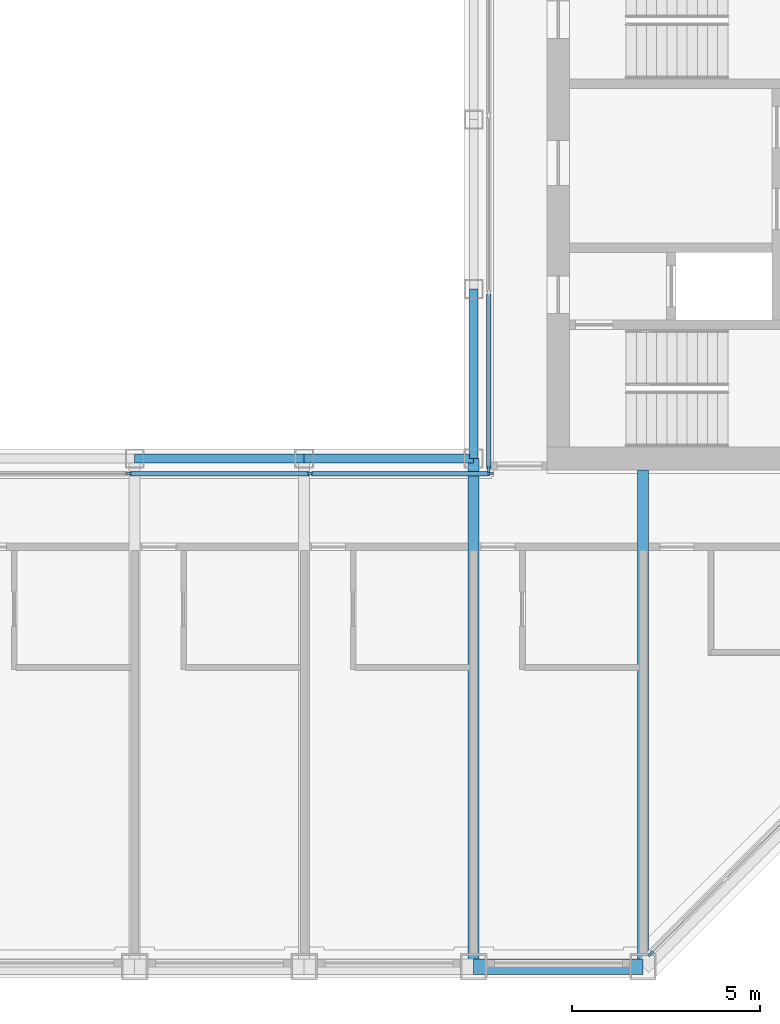
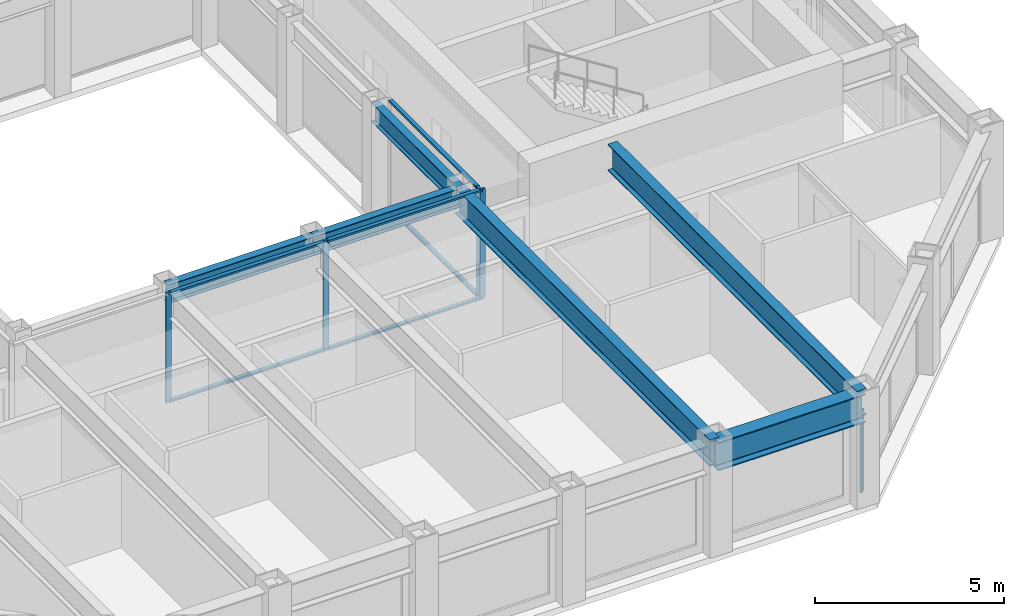
# One storey, part 3 of 18: 11 members, 6 beams, 3 elements without a shape of their own.
"""IFC4 building model written with IfcOpenShell, lengths in metres."""

from ifc_helpers import new_model, si_unit, direction, frame, origin, origin_2d, place, context, subcontext, project, spatial, rectangle, i_section, extrude, material, material_profile, profile_set, type_object, element, aggregate, save


model = new_model("IFC4")

# Units and contexts
model_context = context("Model", 3, precision=1e-05, world=origin(), true_north=direction((0.0, 1.0)))
body_context = subcontext(model_context, "Body", "Model", "MODEL_VIEW")
ifc_project = project(units=[si_unit("LENGTHUNIT", "METRE"), si_unit("AREAUNIT", "SQUARE_METRE"), si_unit("VOLUMEUNIT", "CUBIC_METRE"), si_unit("PLANEANGLEUNIT", "RADIAN"), si_unit("MASSUNIT", "GRAM", prefix="KILO")], contexts=[model_context])

# Site, building, storey
site_placement = place(None, origin())
site = spatial("IfcSite", under=ifc_project, at=site_placement, CompositionType="ELEMENT")
building_placement = place(site_placement, origin())
building = spatial("IfcBuilding", under=site, at=building_placement, Name="Msasa Ring Tower", CompositionType="ELEMENT")
storey_placement = place(building_placement, frame((0.0, 0.0, 200.800048828125)))
storey = spatial("IfcBuildingStorey", under=building, at=storey_placement, Name="L52", CompositionType="ELEMENT", Elevation=200.800048828125)

# Curtain wall, member
ifc_material_1 = material(Name="Aluminium curtain wall with clear glass", Category="aluminium")
curtain_wall_type_1 = type_object("IfcCurtainWallType", Name="CW-C CHAMFER CORNER CURTAIN WALL", PredefinedType="NOTDEFINED", material=ifc_material_1)
curtain_wall_1_placement = place(storey_placement, origin())
curtain_wall_1 = element("IfcCurtainWall", 1, at=curtain_wall_1_placement, inside=storey, type_object=curtain_wall_type_1, Name="Chamfer corner curtain wall SE L52", PredefinedType="NOTDEFINED")
ifc_material_2 = material(Name="Aluminium mullion", Category="aluminium")
ifc_material_profile_1 = material_profile(ifc_material_2, rectangle(XDim=0.06494140625, YDim=0.179931640625, at=origin_2d()), Name="AL 65x180")
ifc_profile_set_1 = profile_set([ifc_material_profile_1], Name="Aluminium mullion")
member_type_1 = type_object("IfcMemberType", Name="CW-C MULLION 65x180", PredefinedType="MULLION", material=ifc_profile_set_1)
member_1_placement = place(storey_placement, frame((11.453369140625, -19.9052734375, 0.0), z_axis=(0.0, 0.0, 1.0), x_axis=(-0.707106781187, 0.707106781187, 0.0)))
member_1 = element("IfcMember", 2, at=member_1_placement, type_object=member_type_1, Name="CW-C mullion 1", PredefinedType="MULLION", context=body_context, shape_type="SweptSolid", body=[
    extrude(rectangle(XDim=0.06494140625, YDim=0.179931640625, at=origin_2d()), origin(), (0.0, 0.0, 1.0), 2.62890625),
])
aggregate(curtain_wall_1, [member_1])

# Curtain wall, members
ifc_material_3 = material(Name="Aluminium curtain wall with clear glass", Category="aluminium")
curtain_wall_type_2 = type_object("IfcCurtainWallType", Name="CW-W LIGHT WELL CURTAIN WALL", PredefinedType="NOTDEFINED", material=ifc_material_3)
curtain_wall_2_placement = place(storey_placement, origin())
curtain_wall_2 = element("IfcCurtainWall", 3, at=curtain_wall_2_placement, inside=storey, type_object=curtain_wall_type_2, Name="Light well curtain wall S L52", PredefinedType="NOTDEFINED")
ifc_material_4 = material(Name="Aluminium mullion", Category="aluminium")
ifc_material_profile_2 = material_profile(ifc_material_4, rectangle(XDim=0.06005859375, YDim=0.159912109375, at=origin_2d()), Name="AL 60x160")
ifc_profile_set_2 = profile_set([ifc_material_profile_2], Name="Aluminium mullion")
member_type_2 = type_object("IfcMemberType", Name="CW-W MULLION 60x160", PredefinedType="MULLION", material=ifc_profile_set_2)
member_2_placement = place(storey_placement, frame((-2.409912109375, -7.14990234375, 0.0), z_axis=(0.0, 0.0, 1.0), x_axis=(0.0, 1.0, 0.0)))
member_2 = element("IfcMember", 4, at=member_2_placement, type_object=member_type_2, Name="CW-W mullion 2", PredefinedType="MULLION", context=body_context, shape_type="SweptSolid", body=[
    extrude(rectangle(XDim=0.06005859375, YDim=0.159912109375, at=origin_2d()), origin(), (0.0, 0.0, 1.0), 3.550048828125),
])
member_3_placement = place(storey_placement, frame((2.409912109375, -7.14990234375, 0.0), z_axis=(0.0, 0.0, 1.0), x_axis=(0.0, 1.0, 0.0)))
member_3 = element("IfcMember", 5, at=member_3_placement, type_object=member_type_2, Name="CW-W mullion 3", PredefinedType="MULLION", context=body_context, shape_type="SweptSolid", body=[
    extrude(rectangle(XDim=0.06005859375, YDim=0.159912109375, at=origin_2d()), origin(), (0.0, 0.0, 1.0), 3.550048828125),
])
member_4_placement = place(storey_placement, frame((7.199951171875, -7.14990234375, 0.0), z_axis=(0.0, 0.0, 1.0), x_axis=(0.0, 1.0, 0.0)))
member_4 = element("IfcMember", 6, at=member_4_placement, type_object=member_type_2, Name="CW-W mullion 4", PredefinedType="MULLION", context=body_context, shape_type="SweptSolid", body=[
    extrude(rectangle(XDim=0.06005859375, YDim=0.159912109375, at=origin_2d()), origin(), (0.0, 0.0, 1.0), 3.550048828125),
])

# Curtain wall, member
curtain_wall_3_placement = place(storey_placement, origin())
curtain_wall_3 = element("IfcCurtainWall", 7, at=curtain_wall_3_placement, inside=storey, type_object=curtain_wall_type_2, Name="Light well curtain wall E L52", PredefinedType="NOTDEFINED")
member_5_placement = place(storey_placement, frame((7.14990234375, -7.0400390625, 0.0), z_axis=(0.0, 0.0, 1.0), x_axis=(-1.0, 0.0, 0.0)))
member_5 = element("IfcMember", 8, at=member_5_placement, type_object=member_type_2, Name="CW-W mullion 1", PredefinedType="MULLION", context=body_context, shape_type="SweptSolid", body=[
    extrude(rectangle(XDim=0.06005859375, YDim=0.159912109375, at=origin_2d()), origin(), (0.0, 0.0, 1.0), 3.550048828125),
])

# Member
ifc_material_5 = material(Name="Aluminium transom", Category="aluminium")
ifc_material_profile_3 = material_profile(ifc_material_5, rectangle(XDim=0.1201171875, YDim=0.06005859375, at=origin_2d()), Name="AL 60x120")
ifc_profile_set_3 = profile_set([ifc_material_profile_3], Name="Aluminium transom")
member_type_3 = type_object("IfcMemberType", Name="CW-W TRANSOM 60x120", PredefinedType="USERDEFINED", material=ifc_profile_set_3)
member_6_placement = place(storey_placement, frame((-2.3798828125, -7.14990234375, 0.030029296875), z_axis=(1.0, 0.0, 0.0), x_axis=(0.0, 1.0, 0.0)))
member_6 = element("IfcMember", 9, at=member_6_placement, type_object=member_type_3, Name="CW-W transom 2.1", ObjectType="TRANSOM", PredefinedType="USERDEFINED", context=body_context, shape_type="SweptSolid", body=[
    extrude(rectangle(XDim=0.1201171875, YDim=0.06005859375, at=origin_2d()), origin(), (0.0, 0.0, 1.0), 4.759765625),
])

member_7_placement = place(storey_placement, frame((-2.3798828125, -7.14990234375, 3.52001953125), z_axis=(1.0, 0.0, 0.0), x_axis=(0.0, 1.0, 0.0)))
member_7 = element("IfcMember", 10, at=member_7_placement, type_object=member_type_3, Name="CW-W transom 2.2", ObjectType="TRANSOM", PredefinedType="USERDEFINED", context=body_context, shape_type="SweptSolid", body=[
    extrude(rectangle(XDim=0.1201171875, YDim=0.06005859375, at=origin_2d()), origin(), (0.0, 0.0, 1.0), 4.759765625),
])

member_8_placement = place(storey_placement, frame((2.43994140625, -7.14990234375, 0.030029296875), z_axis=(1.0, 0.0, 0.0), x_axis=(0.0, 1.0, 0.0)))
member_8 = element("IfcMember", 11, at=member_8_placement, type_object=member_type_3, Name="CW-W transom 3.1", ObjectType="TRANSOM", PredefinedType="USERDEFINED", context=body_context, shape_type="SweptSolid", body=[
    extrude(rectangle(XDim=0.1201171875, YDim=0.06005859375, at=origin_2d()), origin(), (0.0, 0.0, 1.0), 4.72998046875),
])

member_9_placement = place(storey_placement, frame((2.43994140625, -7.14990234375, 3.52001953125), z_axis=(1.0, 0.0, 0.0), x_axis=(0.0, 1.0, 0.0)))
member_9 = element("IfcMember", 12, at=member_9_placement, type_object=member_type_3, Name="CW-W transom 3.2", ObjectType="TRANSOM", PredefinedType="USERDEFINED", context=body_context, shape_type="SweptSolid", body=[
    extrude(rectangle(XDim=0.1201171875, YDim=0.06005859375, at=origin_2d()), origin(), (0.0, 0.0, 1.0), 4.72998046875),
])

aggregate(curtain_wall_2, [member_2, member_3, member_4, member_6, member_7, member_8, member_9])

member_10_placement = place(storey_placement, frame((7.14990234375, -7.010009765625, 0.030029296875), z_axis=(0.0, 1.0, 0.0), x_axis=(-1.0, 0.0, 0.0)))
member_10 = element("IfcMember", 13, at=member_10_placement, type_object=member_type_3, Name="CW-W transom 1.1", ObjectType="TRANSOM", PredefinedType="USERDEFINED", context=body_context, shape_type="SweptSolid", body=[
    extrude(rectangle(XDim=0.1201171875, YDim=0.06005859375, at=origin_2d()), origin(), (0.0, 0.0, 1.0), 4.623291015625),
])

member_11_placement = place(storey_placement, frame((7.14990234375, -7.010009765625, 3.52001953125), z_axis=(0.0, 1.0, 0.0), x_axis=(-1.0, 0.0, 0.0)))
member_11 = element("IfcMember", 14, at=member_11_placement, type_object=member_type_3, Name="CW-W transom 1.2", ObjectType="TRANSOM", PredefinedType="USERDEFINED", context=body_context, shape_type="SweptSolid", body=[
    extrude(rectangle(XDim=0.1201171875, YDim=0.06005859375, at=origin_2d()), origin(), (0.0, 0.0, 1.0), 4.623291015625),
])

aggregate(curtain_wall_3, [member_5, member_10, member_11])

# Beams
ifc_material_6 = material(Name="Steel S355", Category="steel")
ifc_material_profile_4 = material_profile(ifc_material_6, i_section(OverallWidth=0.293701171875, OverallDepth=0.850830078125, WebThickness=0.01611328125, FlangeThickness=0.02685546875, FilletRadius=0.017822265625, at=origin_2d()), Name="UB 838x292x226")
ifc_profile_set_4 = profile_set([ifc_material_profile_4], Name="Steel S355")
beam_type_1 = type_object("IfcBeamType", Name="FB5 UB 838x292x226", PredefinedType="BEAM", material=ifc_profile_set_4)
beam_1_placement = place(storey_placement, frame((6.75, -20.25, 3.12451171875), z_axis=(0.0, 1.0, 0.0), x_axis=(-1.0, 0.0, 0.0)))
element("IfcBeam", 15, at=beam_1_placement, inside=storey, type_object=beam_type_1, Name="Floor beam S+6.75 under L53", PredefinedType="BEAM", context=body_context, shape_type="SweptSolid", body=[
    extrude(i_section(OverallWidth=0.293701171875, OverallDepth=0.850830078125, WebThickness=0.01611328125, FlangeThickness=0.02685546875, FilletRadius=0.017822265625, at=origin_2d()), origin(), (0.0, 0.0, 1.0), 13.5),
])
beam_2_placement = place(storey_placement, frame((11.25, -20.25, 3.12451171875), z_axis=(0.0, 1.0, 0.0), x_axis=(-1.0, 0.0, 0.0)))
element("IfcBeam", 16, at=beam_2_placement, inside=storey, type_object=beam_type_1, Name="Floor beam S+11.25 under L53", PredefinedType="BEAM", context=body_context, shape_type="SweptSolid", body=[
    extrude(i_section(OverallWidth=0.293701171875, OverallDepth=0.850830078125, WebThickness=0.01611328125, FlangeThickness=0.02685546875, FilletRadius=0.017822265625, at=origin_2d()), origin(), (0.0, 0.0, 1.0), 13.199951171875),
])
ifc_material_7 = material(Name="Steel S355", Category="steel")
ifc_material_profile_5 = material_profile(ifc_material_7, i_section(OverallWidth=0.230224609375, OverallDepth=0.6171875, WebThickness=0.01318359375, FlangeThickness=0.022216796875, FilletRadius=0.0126953125, at=origin_2d()), Name="UB 610x229x140")
ifc_profile_set_5 = profile_set([ifc_material_profile_5], Name="Steel S355")
beam_type_2 = type_object("IfcBeamType", Name="RB1 UB 610x229x140", PredefinedType="BEAM", material=ifc_profile_set_5)
for number, where, z_axis, x_axis, name in (
    (17, (-2.25, -6.75, 3.241455078125), (1.0, 0.0, 0.0), (0.0, 1.0, 0.0), "Inner ring beam IR-2.25-6.75 under L53"),
    (18, (2.25, -6.75, 3.241455078125), (1.0, 0.0, 0.0), (0.0, 1.0, 0.0), "Inner ring beam IR+2.25-6.75 under L53"),
    (19, (6.75, -6.75, 3.241455078125), (0.0, 1.0, 0.0), (-1.0, 0.0, 0.0), "Inner ring beam IR+6.75-6.75 under L53"),
):
    element("IfcBeam", number, at=place(storey_placement, frame(where, z_axis=z_axis, x_axis=x_axis)), inside=storey, type_object=beam_type_2, Name=name, PredefinedType="BEAM", context=body_context, shape_type="SweptSolid", body=[
        extrude(i_section(OverallWidth=0.230224609375, OverallDepth=0.6171875, WebThickness=0.01318359375, FlangeThickness=0.022216796875, FilletRadius=0.0126953125, at=origin_2d()), origin(), (0.0, 0.0, 1.0), 4.5),
    ])
ifc_material_8 = material(Name="Steel S355", Category="steel")
ifc_material_profile_6 = material_profile(ifc_material_8, i_section(OverallWidth=0.42041015625, OverallDepth=0.9208984375, WebThickness=0.021484375, FlangeThickness=0.03662109375, FilletRadius=0.024169921875, at=origin_2d()), Name="UB 914x419x388")
ifc_profile_set_6 = profile_set([ifc_material_profile_6], Name="Steel S355")
beam_type_3 = type_object("IfcBeamType", Name="SB1 UB 914x419x388", PredefinedType="SPANDREL", material=ifc_profile_set_6)
beam_3_placement = place(storey_placement, frame((6.75, -20.25, 3.08935546875), z_axis=(1.0, 0.0, 0.0), x_axis=(0.0, 1.0, 0.0)))
element("IfcBeam", 20, at=beam_3_placement, inside=storey, type_object=beam_type_3, Name="Spandrel S+6.75 to S+11.25 under L53", PredefinedType="SPANDREL", context=body_context, shape_type="SweptSolid", body=[
    extrude(i_section(OverallWidth=0.42041015625, OverallDepth=0.9208984375, WebThickness=0.021484375, FlangeThickness=0.03662109375, FilletRadius=0.024169921875, at=origin_2d()), origin(), (0.0, 0.0, 1.0), 4.5),
])

save(model, "model.ifc")
